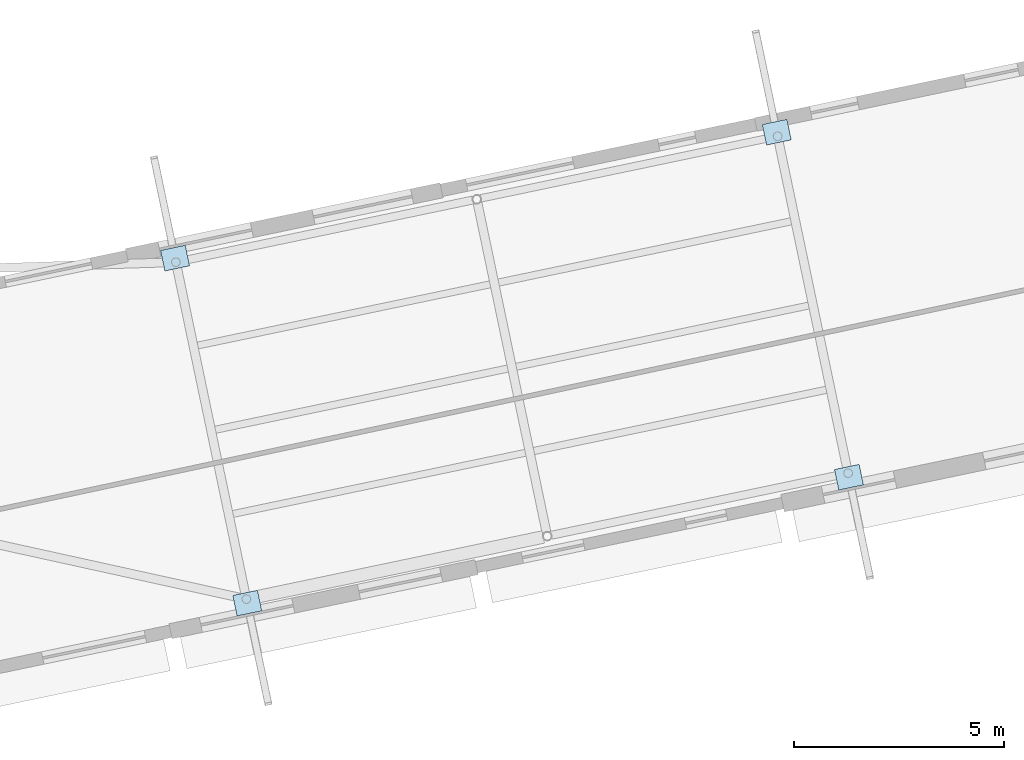
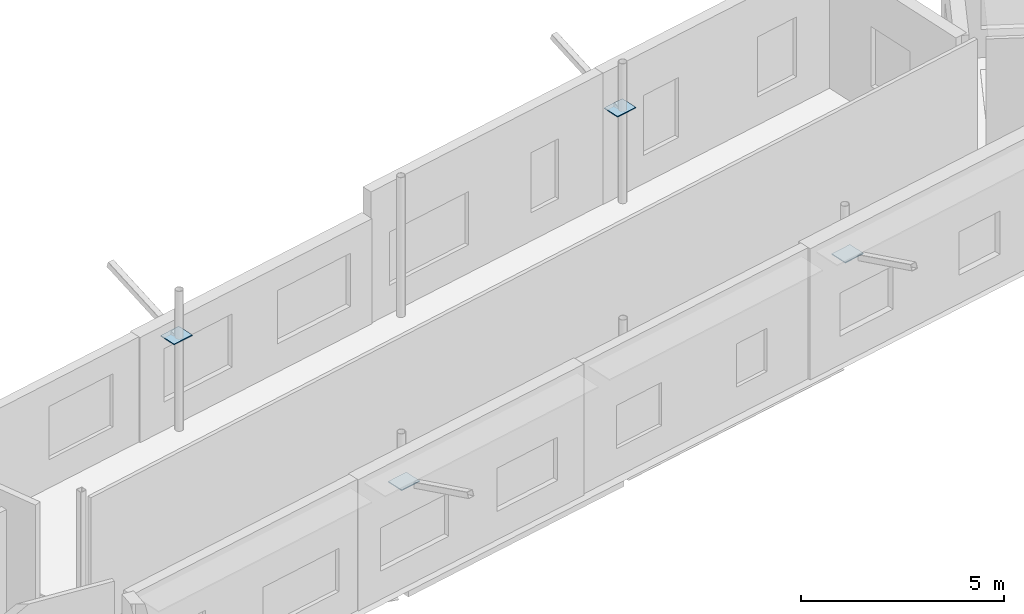
# One storey, part 31 of 68: 4 plates.
"""IFC4 building model written with IfcOpenShell, lengths in metres."""

from ifc_helpers import new_model, si_unit, direction, frame, origin, origin_2d, place, context, subcontext, project, spatial, rectangle, extrude, material, layer, layer_set, type_object, element, save


model = new_model("IFC4")

# Units and contexts
model_context = context("Model", 3, precision=1e-05, world=origin(), true_north=direction((0.0, 1.0)))
body_context = subcontext(model_context, "Body", "Model", "MODEL_VIEW")
ifc_project = project(units=[si_unit("LENGTHUNIT", "METRE"), si_unit("AREAUNIT", "SQUARE_METRE"), si_unit("VOLUMEUNIT", "CUBIC_METRE"), si_unit("PLANEANGLEUNIT", "RADIAN"), si_unit("MASSUNIT", "GRAM", prefix="KILO")], contexts=[model_context])

# Site, building, storey
site_placement = place(None, origin())
site = spatial("IfcSite", under=ifc_project, at=site_placement, CompositionType="ELEMENT")
building_placement = place(site_placement, origin())
building = spatial("IfcBuilding", under=site, at=building_placement, Name="Wrenclough Park School", CompositionType="ELEMENT")
storey_placement = place(building_placement, frame((0.0, 0.0, 12.60009765625)))
storey = spatial("IfcBuildingStorey", under=building, at=storey_placement, Name="L03", CompositionType="ELEMENT", Elevation=12.60009765625)

# Plates
ifc_material = material(Name="Structural steel S355", Category="steel")
ifc_layer = layer(ifc_material, 0.028076171875)
ifc_layer_set = layer_set([ifc_layer], Name="Structural steel S355")
plate_type = type_object("IfcPlateType", Name="STR-PL-KN3", PredefinedType="USERDEFINED", material=ifc_layer_set)
for number, where, z_axis, x_axis, name in (
    (1, (103.639892578125, 117.109619140625, 2.73583984375), (0.0, 0.0, 1.0), (0.978790625251, 0.204863154129, 0.0), "W45 eave knee-brace gusset plate 11"),
    (2, (105.360107421875, 108.890380859375, 2.73583984375), (0.0, 0.0, 1.0), (0.978790625251, 0.204863154129, 0.0), "W45 eave knee-brace gusset plate 12"),
    (3, (117.97314453125, 120.109619140625, 2.73583984375), (0.0, 0.0, 1.0), (0.978790625251, 0.204863154129, 0.0), "W45 eave knee-brace gusset plate 13"),
    (4, (119.693603515625, 111.890380859375, 2.73583984375), (0.0, 0.0, 1.0), (0.978790625251, 0.204863154129, 0.0), "W45 eave knee-brace gusset plate 14"),
):
    element("IfcPlate", number, at=place(storey_placement, frame(where, z_axis=z_axis, x_axis=x_axis)), inside=storey, type_object=plate_type, Name=name, ObjectType="GUSSET PLATE", PredefinedType="USERDEFINED", context=body_context, shape_type="SweptSolid", body=[
        extrude(rectangle(XDim=0.60009765625, YDim=0.5, at=origin_2d()), origin(), (0.0, 0.0, 1.0), 0.028076171875),
    ])

save(model, "model.ifc")
